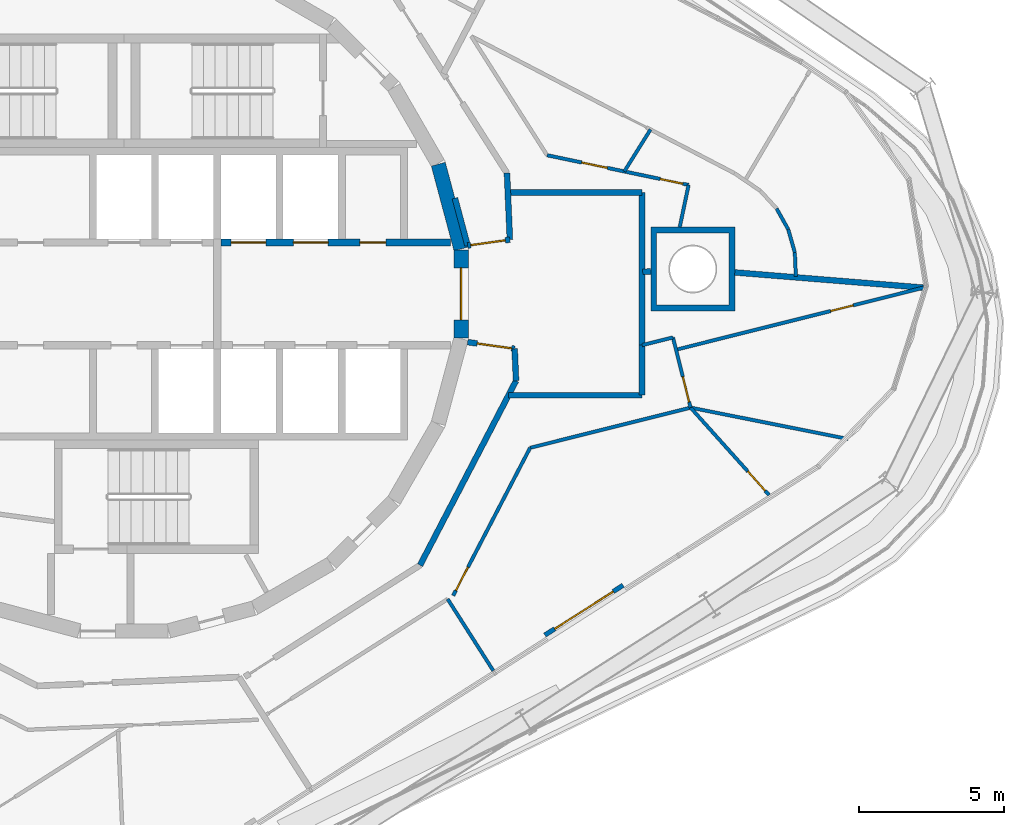
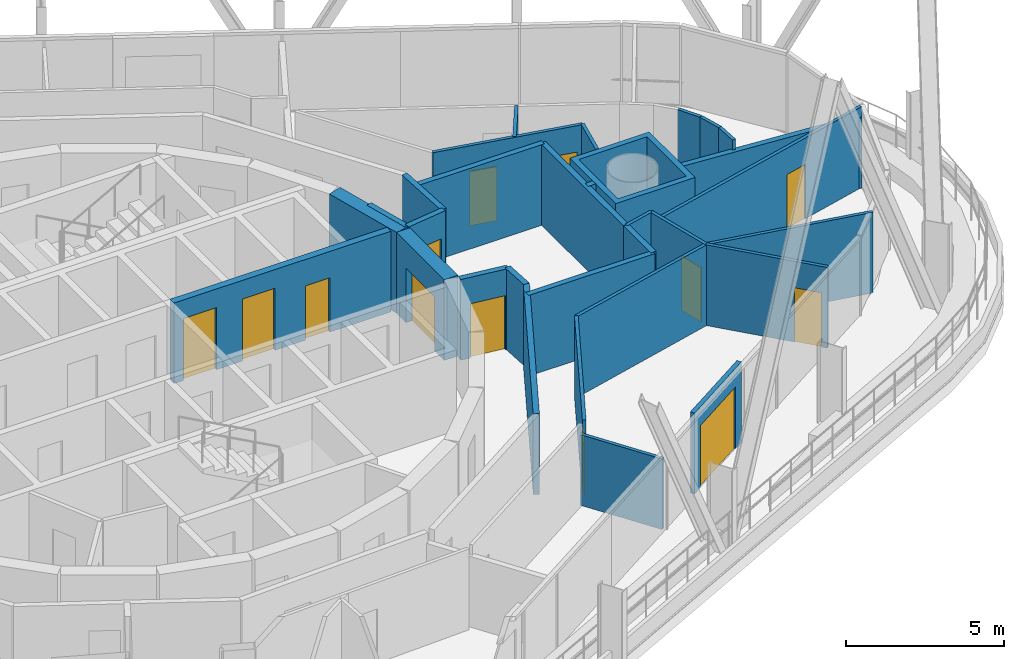
# One storey, part 14 of 20: 31 walls, 13 doors, 13 openings.
"""IFC4 building model written with IfcOpenShell, lengths in metres."""

from ifc_helpers import new_model, si_unit, direction, frame, frame_2d, origin, place, context, subcontext, project, spatial, polyline, rectangle, outline, extrude, material, layer, layer_set, type_object, element, fill, save


model = new_model("IFC4")

# Units and contexts
model_context = context("Model", 3, precision=1e-05, world=origin(), true_north=direction((0.0, 1.0)))
body_context = subcontext(model_context, "Body", "Model", "MODEL_VIEW")
ifc_project = project(units=[si_unit("LENGTHUNIT", "METRE"), si_unit("AREAUNIT", "SQUARE_METRE"), si_unit("VOLUMEUNIT", "CUBIC_METRE"), si_unit("PLANEANGLEUNIT", "RADIAN"), si_unit("MASSUNIT", "GRAM", prefix="KILO")], contexts=[model_context])

# Site, building, storey
site_placement = place(None, origin())
site = spatial("IfcSite", under=ifc_project, at=site_placement, CompositionType="ELEMENT")
building_placement = place(site_placement, origin())
building = spatial("IfcBuilding", under=site, at=building_placement, Name="Spindle Arch Residences", CompositionType="ELEMENT")
storey_placement = place(building_placement, frame((0.0, 0.0, 226.699951171875)))
storey = spatial("IfcBuildingStorey", under=building, at=storey_placement, Name="L57", CompositionType="ELEMENT", Elevation=226.699951171875)

# Wall, opening, door
ifc_material_1 = material(Name="Concrete C50/60", Category="concrete")
ifc_layer_1 = layer(ifc_material_1, 0.5)
ifc_layer_set_1 = layer_set([ifc_layer_1], Name="Core outline wall 500")
wall_type_1 = type_object("IfcWallType", Name="Core outline wall 500", PredefinedType="SHEAR", material=ifc_layer_set_1)
wall_1_placement = place(storey_placement, frame((11.647216796875, -1.516357421875, 0.0), z_axis=(0.0, 0.0, 1.0), x_axis=(0.0, 1.0, 0.0)))
wall_1 = element("IfcWall", 1, at=wall_1_placement, inside=storey, type_object=wall_type_1, Name="Core outline wall 6", PredefinedType="SHEAR", context=body_context, shape_type="SweptSolid", body=[
    extrude(rectangle(XDim=3.03271484375, YDim=0.5, at=frame_2d((1.516357421875, 0.0))), origin(), (0.0, 0.0, 1.0), 3.1201171875),
])
opening_1_placement = place(wall_1_placement, frame((0.6162109375, 0.0, 0.0)))
opening_1 = element("IfcOpeningElement", 2, at=opening_1_placement, cuts=wall_1, Name="Opening R6A0-FE01", PredefinedType="OPENING", context=body_context, shape_type="SweptSolid", body=[
    extrude(rectangle(XDim=1.800048828125, YDim=2.10009765625, at=frame_2d((0.89990234375, 1.050048828125))), frame((0.0, 0.260009765625, 0.0), z_axis=(0.0, -1.0, 0.0), x_axis=(1.0, 0.0, 0.0)), (0.0, 0.0, 1.0), 0.52001953125),
])
ifc_material_2 = material(Name="Steel, fire-resisting door", Category="steel")
door_type_1 = type_object("IfcDoorType", Name="Fire-lift lobby door 1800x2100", OperationType="DOUBLE_DOOR_SINGLE_SWING", PredefinedType="DOOR", material=ifc_material_2)
door_1_placement = place(opening_1_placement, origin())
door_1 = element("IfcDoor", 3, at=door_1_placement, inside=storey, type_object=door_type_1, Name="Fire-lift lobby door R6A0-FE01", OperationType="DOUBLE_DOOR_SINGLE_SWING", OverallHeight=2.10009765625, OverallWidth=1.800048828125, PredefinedType="DOOR", context=body_context, shape_type="SweptSolid", body=[
    extrude(rectangle(XDim=1.800048828125, YDim=2.10009765625, at=frame_2d((0.89990234375, 1.050048828125))), frame((0.0, 0.02490234375, 0.0), z_axis=(0.0, -1.0, 0.0), x_axis=(1.0, 0.0, 0.0)), (0.0, 0.0, 1.0), 0.050048828125),
])
fill(opening_1, door_1)

# Walls
wall_2_placement = place(storey_placement, frame((11.642822265625, 1.5498046875, 0.0), z_axis=(0.0, 0.0, 1.0), x_axis=(-0.258734743916, 0.965948410781, 0.0)))
element("IfcWall", 4, at=wall_2_placement, inside=storey, type_object=wall_type_1, Name="Core outline wall 7", PredefinedType="SHEAR", context=body_context, shape_type="SweptSolid", body=[
    extrude(rectangle(XDim=3.03271484375, YDim=0.5, at=frame_2d((1.516357421875, 0.0))), origin(), (0.0, 0.0, 1.0), 3.1201171875),
])
ifc_material_3 = material(Name="Calcium silicate block, plastered")
ifc_layer_2 = layer(ifc_material_3, 0.199951171875)
ifc_layer_set_2 = layer_set([ifc_layer_2], Name="Fire-lift lobby bay wall 200")
wall_type_2 = type_object("IfcWallType", Name="Fire-lift lobby bay wall 200", PredefinedType="STANDARD", material=ifc_layer_set_2)
wall_3_placement = place(storey_placement, frame((11.8701171875, 1.668212890625, 0.0), z_axis=(0.0, 0.0, 1.0), x_axis=(-0.258836880648, 0.965921047093, 0.0)))
element("IfcWall", 5, at=wall_3_placement, inside=storey, type_object=wall_type_2, Name="Fire-lift lobby bay wall R6A0-W001", PredefinedType="STANDARD", context=body_context, shape_type="SweptSolid", body=[
    extrude(rectangle(XDim=1.695068359375, YDim=0.199951171875, at=frame_2d((0.84765625, 0.0))), origin(), (0.0, 0.0, 1.0), 3.1201171875),
])

# Wall, opening, door
wall_4_placement = place(storey_placement, frame((11.8701171875, 1.668212890625, 0.0), z_axis=(0.0, 0.0, 1.0), x_axis=(0.990267985606, 0.139173692496, 0.0)))
wall_4 = element("IfcWall", 6, at=wall_4_placement, inside=storey, type_object=wall_type_2, Name="Fire-lift lobby bay wall R6A0-W002", PredefinedType="STANDARD", context=body_context, shape_type="SweptSolid", body=[
    extrude(rectangle(XDim=1.475341796875, YDim=0.199951171875, at=frame_2d((0.73779296875, 0.0))), origin(), (0.0, 0.0, 1.0), 3.1201171875),
])
opening_2_placement = place(wall_4_placement, frame((0.110107421875, 0.0, 0.0)))
opening_2 = element("IfcOpeningElement", 7, at=opening_2_placement, cuts=wall_4, Name="Opening R6A0-CD01", PredefinedType="OPENING", context=body_context, shape_type="SweptSolid", body=[
    extrude(rectangle(XDim=1.199951171875, YDim=2.10009765625, at=frame_2d((0.60009765625, 1.050048828125))), frame((0.0, 0.10986328125, 0.0), z_axis=(0.0, -1.0, 0.0), x_axis=(1.0, 0.0, 0.0)), (0.0, 0.0, 1.0), 0.219970703125),
])
ifc_material_4 = material(Name="Steel, fire-resisting door", Category="steel")
door_type_2 = type_object("IfcDoorType", Name="Corridor division door 1200x2100", OperationType="NOTDEFINED", PredefinedType="DOOR", material=ifc_material_4)
door_2_placement = place(opening_2_placement, origin())
door_2 = element("IfcDoor", 8, at=door_2_placement, inside=storey, type_object=door_type_2, Name="Corridor division door R6A0-CD01", OperationType="DOUBLE_DOOR_SINGLE_SWING", OverallHeight=2.10009765625, OverallWidth=1.199951171875, PredefinedType="DOOR", context=body_context, shape_type="SweptSolid", body=[
    extrude(rectangle(XDim=1.199951171875, YDim=2.10009765625, at=frame_2d((0.60009765625, 1.050048828125))), frame((0.0, 0.02490234375, 0.0), z_axis=(0.0, -1.0, 0.0), x_axis=(1.0, 0.0, 0.0)), (0.0, 0.0, 1.0), 0.050048828125),
])
fill(opening_2, door_2)

# Walls
wall_5_placement = place(storey_placement, frame((13.3310546875, 1.87353515625, 0.0), z_axis=(0.0, 0.0, 1.0), x_axis=(-0.043621457762, 0.999048131184, 0.0)))
element("IfcWall", 9, at=wall_5_placement, inside=storey, type_object=wall_type_2, Name="Fire-lift lobby bay wall R6A0-W003", PredefinedType="STANDARD", context=body_context, shape_type="SweptSolid", body=[
    extrude(rectangle(XDim=2.30029296875, YDim=0.199951171875, at=frame_2d((1.150146484375, 0.0))), origin(), (0.0, 0.0, 1.0), 3.1201171875),
])
wall_6_placement = place(storey_placement, frame((10.22802734375, -9.372314453125, 0.0), z_axis=(0.0, 0.0, 1.0), x_axis=(0.461759464021, 0.887005184532, 0.0)))
element("IfcWall", 10, at=wall_6_placement, inside=storey, type_object=wall_type_2, Name="Fire-lift lobby bay wall R6A0-W013", PredefinedType="STANDARD", context=body_context, shape_type="SweptSolid", body=[
    extrude(rectangle(XDim=7.18115234375, YDim=0.199951171875, at=frame_2d((3.590576171875, 0.0))), origin(), (0.0, 0.0, 1.0), 3.1201171875),
])
wall_7_placement = place(storey_placement, frame((13.5439453125, -3.002685546875, 0.0), z_axis=(0.0, 0.0, 1.0), x_axis=(-0.043666917606, 0.999046145234, 0.0)))
element("IfcWall", 11, at=wall_7_placement, inside=storey, type_object=wall_type_2, Name="Fire-lift lobby bay wall R6A0-W014", PredefinedType="STANDARD", context=body_context, shape_type="SweptSolid", body=[
    extrude(rectangle(XDim=1.10693359375, YDim=0.199951171875, at=frame_2d((0.553466796875, 0.0))), origin(), (0.0, 0.0, 1.0), 3.1201171875),
])

# Wall, opening, door
wall_8_placement = place(storey_placement, frame((13.49560546875, -1.896728515625, 0.0), z_axis=(0.0, 0.0, 1.0), x_axis=(-0.99026234641, 0.139213811391, 0.0)))
wall_8 = element("IfcWall", 12, at=wall_8_placement, inside=storey, type_object=wall_type_2, Name="Fire-lift lobby bay wall R6A0-W015", PredefinedType="STANDARD", context=body_context, shape_type="SweptSolid", body=[
    extrude(rectangle(XDim=1.641357421875, YDim=0.199951171875, at=frame_2d((0.82080078125, 0.0))), origin(), (0.0, 0.0, 1.0), 3.1201171875),
])
opening_3_placement = place(wall_8_placement, frame((0.110107421875, 0.0, 0.0)))
opening_3 = element("IfcOpeningElement", 13, at=opening_3_placement, cuts=wall_8, Name="Opening R6A0-CD02", PredefinedType="OPENING", context=body_context, shape_type="SweptSolid", body=[
    extrude(rectangle(XDim=1.199951171875, YDim=2.10009765625, at=frame_2d((0.60009765625, 1.050048828125))), frame((0.0, 0.10986328125, 0.0), z_axis=(0.0, -1.0, 0.0), x_axis=(1.0, 0.0, 0.0)), (0.0, 0.0, 1.0), 0.219970703125),
])
door_3_placement = place(opening_3_placement, origin())
door_3 = element("IfcDoor", 14, at=door_3_placement, inside=storey, type_object=door_type_2, Name="Corridor division door R6A0-CD02", OperationType="DOUBLE_DOOR_SINGLE_SWING", OverallHeight=2.10009765625, OverallWidth=1.199951171875, PredefinedType="DOOR", context=body_context, shape_type="SweptSolid", body=[
    extrude(rectangle(XDim=1.199951171875, YDim=2.10009765625, at=frame_2d((0.60009765625, 1.050048828125))), frame((0.0, 0.02490234375, 0.0), z_axis=(0.0, -1.0, 0.0), x_axis=(1.0, 0.0, 0.0)), (0.0, 0.0, 1.0), 0.050048828125),
])
fill(opening_3, door_3)

# Walls
wall_9_placement = place(storey_placement, frame((17.89990234375, -1.77197265625, 0.0), z_axis=(0.0, 0.0, 1.0), x_axis=(0.0, 1.0, 0.0)))
element("IfcWall", 15, at=wall_9_placement, inside=storey, type_object=wall_type_2, Name="Fire-lift lobby bay wall R6A0-W025", PredefinedType="STANDARD", context=body_context, shape_type="SweptSolid", body=[
    extrude(rectangle(XDim=5.27197265625, YDim=0.199951171875, at=frame_2d((2.635986328125, 0.0))), origin(), (0.0, 0.0, 1.0), 3.1201171875),
])
wall_10_placement = place(storey_placement, frame((17.89990234375, 3.5, 0.0), z_axis=(0.0, 0.0, 1.0), x_axis=(-1.0, 0.0, 0.0)))
element("IfcWall", 16, at=wall_10_placement, inside=storey, type_object=wall_type_2, Name="Fire-lift lobby bay wall R6A0-W026", PredefinedType="STANDARD", context=body_context, shape_type="SweptSolid", body=[
    extrude(rectangle(XDim=4.639892578125, YDim=0.199951171875, at=frame_2d((2.31982421875, 0.0))), origin(), (0.0, 0.0, 1.0), 3.1201171875),
])
wall_11_placement = place(storey_placement, frame((13.284912109375, -3.5, 0.0), z_axis=(0.0, 0.0, 1.0), x_axis=(1.0, 0.0, 0.0)))
element("IfcWall", 17, at=wall_11_placement, inside=storey, type_object=wall_type_2, Name="Fire-lift lobby bay wall R6A0-W027", PredefinedType="STANDARD", context=body_context, shape_type="SweptSolid", body=[
    extrude(rectangle(XDim=4.614990234375, YDim=0.199951171875, at=frame_2d((2.3076171875, 0.0))), origin(), (0.0, 0.0, 1.0), 3.1201171875),
])
wall_12_placement = place(storey_placement, frame((17.89990234375, -3.5, 0.0), z_axis=(0.0, 0.0, 1.0), x_axis=(0.0, 1.0, 0.0)))
element("IfcWall", 18, at=wall_12_placement, inside=storey, type_object=wall_type_2, Name="Fire-lift lobby bay wall R6A0-W028", PredefinedType="STANDARD", context=body_context, shape_type="SweptSolid", body=[
    extrude(rectangle(XDim=1.72802734375, YDim=0.199951171875, at=frame_2d((0.864013671875, 0.0))), origin(), (0.0, 0.0, 1.0), 3.1201171875),
])

# Wall, openings, doors
ifc_material_5 = material(Name="Concrete C40/50", Category="concrete")
ifc_layer_3 = layer(ifc_material_5, 0.25)
ifc_layer_set_3 = layer_set([ifc_layer_3], Name="Fire-lift lobby wall 250")
wall_type_3 = type_object("IfcWallType", Name="Fire-lift lobby wall 250", PredefinedType="SHEAR", material=ifc_layer_set_3)
wall_13_placement = place(storey_placement, frame((3.35009765625, 1.77490234375, 0.0), z_axis=(0.0, 0.0, 1.0), x_axis=(1.0, 0.0, 0.0)))
wall_13 = element("IfcWall", 19, at=wall_13_placement, inside=storey, type_object=wall_type_3, Name="Lift shaft front wall NE", PredefinedType="SHEAR", context=body_context, shape_type="SweptSolid", body=[
    extrude(rectangle(XDim=7.929931640625, YDim=0.25, at=frame_2d((3.96484375, 0.0))), origin(), (0.0, 0.0, 1.0), 3.1201171875),
])
opening_4_placement = place(wall_13_placement, frame((0.35009765625, 0.0, 0.0)))
opening_4 = element("IfcOpeningElement", 20, at=opening_4_placement, cuts=wall_13, Name="Opening R6A0-SLD01", PredefinedType="OPENING", context=body_context, shape_type="SweptSolid", body=[
    extrude(rectangle(XDim=1.199951171875, YDim=2.39990234375, at=frame_2d((0.60009765625, 1.199951171875))), frame((0.0, 0.135009765625, 0.0), z_axis=(0.0, -1.0, 0.0), x_axis=(1.0, 0.0, 0.0)), (0.0, 0.0, 1.0), 0.27001953125),
])
opening_5_placement = place(wall_13_placement, frame((2.5, 0.0, 0.0)))
opening_5 = element("IfcOpeningElement", 21, at=opening_5_placement, cuts=wall_13, Name="Opening R6A0-SLD02", PredefinedType="OPENING", context=body_context, shape_type="SweptSolid", body=[
    extrude(rectangle(XDim=1.199951171875, YDim=2.39990234375, at=frame_2d((0.60009765625, 1.199951171875))), frame((0.0, 0.135009765625, 0.0), z_axis=(0.0, -1.0, 0.0), x_axis=(1.0, 0.0, 0.0)), (0.0, 0.0, 1.0), 0.27001953125),
])
opening_6_placement = place(wall_13_placement, frame((4.800048828125, 0.0, 0.0)))
opening_6 = element("IfcOpeningElement", 22, at=opening_6_placement, cuts=wall_13, Name="Opening R6A0-WD03", PredefinedType="OPENING", context=body_context, shape_type="SweptSolid", body=[
    extrude(rectangle(XDim=0.89990234375, YDim=2.10009765625, at=frame_2d((0.449951171875, 1.050048828125))), frame((0.0, 0.135009765625, 0.0), z_axis=(0.0, -1.0, 0.0), x_axis=(1.0, 0.0, 0.0)), (0.0, 0.0, 1.0), 0.27001953125),
])
ifc_material_6 = material(Name="Steel, fire-resisting landing door", Category="steel")
door_type_3 = type_object("IfcDoorType", Name="Service lift landing door 1200x2400", OperationType="DOUBLE_DOOR_SLIDING", PredefinedType="DOOR", material=ifc_material_6)
door_4_placement = place(opening_4_placement, origin())
door_4 = element("IfcDoor", 23, at=door_4_placement, inside=storey, type_object=door_type_3, Name="Service lift landing door R6A0-SLD01", OperationType="DOUBLE_DOOR_SLIDING", OverallHeight=2.39990234375, OverallWidth=1.199951171875, PredefinedType="DOOR", context=body_context, shape_type="SweptSolid", body=[
    extrude(rectangle(XDim=1.199951171875, YDim=2.39990234375, at=frame_2d((0.60009765625, 1.199951171875))), frame((0.0, 0.02490234375, 0.0), z_axis=(0.0, -1.0, 0.0), x_axis=(1.0, 0.0, 0.0)), (0.0, 0.0, 1.0), 0.050048828125),
])
fill(opening_4, door_4)
door_5_placement = place(opening_5_placement, origin())
door_5 = element("IfcDoor", 24, at=door_5_placement, inside=storey, type_object=door_type_3, Name="Service lift landing door R6A0-SLD02", OperationType="DOUBLE_DOOR_SLIDING", OverallHeight=2.39990234375, OverallWidth=1.199951171875, PredefinedType="DOOR", context=body_context, shape_type="SweptSolid", body=[
    extrude(rectangle(XDim=1.199951171875, YDim=2.39990234375, at=frame_2d((0.60009765625, 1.199951171875))), frame((0.0, 0.02490234375, 0.0), z_axis=(0.0, -1.0, 0.0), x_axis=(1.0, 0.0, 0.0)), (0.0, 0.0, 1.0), 0.050048828125),
])
fill(opening_5, door_5)
ifc_material_7 = material(Name="Steel, fire-resisting door", Category="steel")
door_type_4 = type_object("IfcDoorType", Name="Service room door 900x2100", OperationType="SINGLE_SWING_LEFT", PredefinedType="DOOR", material=ifc_material_7)
door_6_placement = place(opening_6_placement, origin())
door_6 = element("IfcDoor", 25, at=door_6_placement, inside=storey, type_object=door_type_4, Name="Service room door R6A0-WD03", OperationType="SINGLE_SWING_LEFT", OverallHeight=2.10009765625, OverallWidth=0.89990234375, PredefinedType="DOOR", context=body_context, shape_type="SweptSolid", body=[
    extrude(rectangle(XDim=0.89990234375, YDim=2.10009765625, at=frame_2d((0.449951171875, 1.050048828125))), frame((0.0, 0.02490234375, 0.0), z_axis=(0.0, -1.0, 0.0), x_axis=(1.0, 0.0, 0.0)), (0.0, 0.0, 1.0), 0.050048828125),
])
fill(opening_6, door_6)

# Wall
ifc_material_8 = material(Name="Plasterboard on steel studs", Category="steel")
ifc_layer_4 = layer(ifc_material_8, 0.1201171875)
ifc_layer_set_4 = layer_set([ifc_layer_4], Name="Flat partition 120")
wall_type_4 = type_object("IfcWallType", Name="Flat partition 120", PredefinedType="PARTITIONING", material=ifc_layer_set_4)
wall_14_placement = place(storey_placement, frame((19.19921875, 2.307861328125, 0.0), z_axis=(0.0, 0.0, 1.0), x_axis=(0.205580140246, 0.978640284239, 0.0)))
element("IfcWall", 26, at=wall_14_placement, inside=storey, type_object=wall_type_4, Name="Flat partition R6A0-W041", PredefinedType="PARTITIONING", context=body_context, shape_type="SweptSolid", body=[
    extrude(rectangle(XDim=1.48681640625, YDim=0.1201171875, at=frame_2d((0.743408203125, 0.0))), origin(), (0.0, 0.0, 1.0), 3.1201171875),
])

# Wall, openings, doors
wall_15_placement = place(storey_placement, frame((19.5048828125, 3.762939453125, 0.0), z_axis=(0.0, 0.0, 1.0), x_axis=(-0.978660081285, 0.205485876157, 0.0)))
wall_15 = element("IfcWall", 27, at=wall_15_placement, inside=storey, type_object=wall_type_4, Name="Flat partition R6A0-W042", PredefinedType="PARTITIONING", context=body_context, shape_type="SweptSolid", body=[
    extrude(rectangle(XDim=4.99609375, YDim=0.1201171875, at=frame_2d((2.498046875, 0.0))), origin(), (0.0, 0.0, 1.0), 3.1201171875),
])
opening_7_placement = place(wall_15_placement, frame((0.199951171875, 0.0, 0.0)))
opening_7 = element("IfcOpeningElement", 28, at=opening_7_placement, cuts=wall_15, Name="Opening R6A0-BD01", PredefinedType="OPENING", context=body_context, shape_type="SweptSolid", body=[
    extrude(rectangle(XDim=0.800048828125, YDim=2.10009765625, at=frame_2d((0.39990234375, 1.050048828125))), frame((0.0, 0.070068359375, 0.0), z_axis=(0.0, -1.0, 0.0), x_axis=(1.0, 0.0, 0.0)), (0.0, 0.0, 1.0), 0.14013671875),
])
opening_8_placement = place(wall_15_placement, frame((2.86865234375, 0.0, 0.0)))
opening_8 = element("IfcOpeningElement", 29, at=opening_8_placement, cuts=wall_15, Name="Opening R6A0-ID01", PredefinedType="OPENING", context=body_context, shape_type="SweptSolid", body=[
    extrude(rectangle(XDim=0.89990234375, YDim=2.10009765625, at=frame_2d((0.449951171875, 1.050048828125))), frame((0.0, 0.070068359375, 0.0), z_axis=(0.0, -1.0, 0.0), x_axis=(1.0, 0.0, 0.0)), (0.0, 0.0, 1.0), 0.14013671875),
])
ifc_material_9 = material(Name="Timber door set", Category="wood")
door_type_5 = type_object("IfcDoorType", Name="Bathroom door 800x2100", OperationType="NOTDEFINED", PredefinedType="DOOR", material=ifc_material_9)
door_7_placement = place(opening_7_placement, origin())
door_7 = element("IfcDoor", 30, at=door_7_placement, inside=storey, type_object=door_type_5, Name="Bathroom door R6A0-BD01", OperationType="SINGLE_SWING_LEFT", OverallHeight=2.10009765625, OverallWidth=0.800048828125, PredefinedType="DOOR", context=body_context, shape_type="SweptSolid", body=[
    extrude(rectangle(XDim=0.800048828125, YDim=2.10009765625, at=frame_2d((0.39990234375, 1.050048828125))), frame((0.0, 0.02490234375, 0.0), z_axis=(0.0, -1.0, 0.0), x_axis=(1.0, 0.0, 0.0)), (0.0, 0.0, 1.0), 0.050048828125),
])
fill(opening_7, door_7)
ifc_material_10 = material(Name="Timber door set", Category="wood")
door_type_6 = type_object("IfcDoorType", Name="Room door 900x2100", OperationType="NOTDEFINED", PredefinedType="DOOR", material=ifc_material_10)
door_8_placement = place(opening_8_placement, origin())
door_8 = element("IfcDoor", 31, at=door_8_placement, inside=storey, type_object=door_type_6, Name="Room door R6A0-ID01", OperationType="SINGLE_SWING_LEFT", OverallHeight=2.10009765625, OverallWidth=0.89990234375, PredefinedType="DOOR", context=body_context, shape_type="SweptSolid", body=[
    extrude(rectangle(XDim=0.89990234375, YDim=2.10009765625, at=frame_2d((0.449951171875, 1.050048828125))), frame((0.0, 0.02490234375, 0.0), z_axis=(0.0, -1.0, 0.0), x_axis=(1.0, 0.0, 0.0)), (0.0, 0.0, 1.0), 0.050048828125),
])
fill(opening_8, door_8)

# Walls
wall_16_placement = place(storey_placement, frame((22.544189453125, 2.947998046875, 0.0), z_axis=(0.0, 0.0, 1.0), x_axis=(0.487392269075, -0.873183128585, 0.0)))
element("IfcWall", 32, at=wall_16_placement, inside=storey, type_object=wall_type_4, Name="Flat partition R6A0-W046", PredefinedType="PARTITIONING", context=body_context, shape_type="SweptSolid", body=[
    extrude(rectangle(XDim=0.8291015625, YDim=0.1201171875, at=frame_2d((0.41455078125, 0.0))), origin(), (0.0, 0.0, 1.0), 3.1201171875),
])
for number, where, z_axis, x_axis, name in (
    (33, (22.9482421875, 2.22412109375, 0.0), (0.0, 0.0, 1.0), (0.272775267496, -0.96207777931, 0.0), "Flat partition R6A0-W047"),
    (34, (23.17431640625, 1.4267578125, 0.0), (0.0, 0.0, 1.0), (0.043884567994, -0.999036608284, 0.0), "Flat partition R6A0-W048"),
):
    element("IfcWall", number, at=place(storey_placement, frame(where, z_axis=z_axis, x_axis=x_axis)), inside=storey, type_object=wall_type_4, Name=name, PredefinedType="PARTITIONING", context=body_context, shape_type="SweptSolid", body=[
        extrude(rectangle(XDim=0.828857421875, YDim=0.1201171875, at=frame_2d((0.41455078125, 0.0))), origin(), (0.0, 0.0, 1.0), 3.1201171875),
    ])
wall_17_placement = place(storey_placement, frame((18.188720703125, 5.67724609375, 0.0), z_axis=(0.0, 0.0, 1.0), x_axis=(-0.529639004581, -0.848223157445, 0.0)))
element("IfcWall", 35, at=wall_17_placement, inside=storey, type_object=wall_type_4, Name="Flat partition R6A0-W050", PredefinedType="PARTITIONING", context=body_context, shape_type="SweptSolid", body=[
    extrude(rectangle(XDim=1.707275390625, YDim=0.1201171875, at=frame_2d((0.853515625, 0.0))), origin(), (0.0, 0.0, 1.0), 3.1201171875),
])

# Wall, opening, door
wall_18_placement = place(storey_placement, frame((11.373046875, -10.42138671875, 0.0), z_axis=(0.0, 0.0, 1.0), x_axis=(0.461738939635, 0.887015868869, 0.0)))
wall_18 = element("IfcWall", 36, at=wall_18_placement, inside=storey, type_object=wall_type_4, Name="Flat partition R6A0-W110", PredefinedType="PARTITIONING", context=body_context, shape_type="SweptSolid", body=[
    extrude(rectangle(XDim=5.751708984375, YDim=0.1201171875, at=frame_2d((2.8759765625, 0.0))), origin(), (0.0, 0.0, 1.0), 3.1201171875),
])
opening_9_placement = place(wall_18_placement, frame((0.199951171875, 0.0, 0.0)))
opening_9 = element("IfcOpeningElement", 37, at=opening_9_placement, cuts=wall_18, Name="Opening R6A0-ID24", PredefinedType="OPENING", context=body_context, shape_type="SweptSolid", body=[
    extrude(rectangle(XDim=0.89990234375, YDim=2.10009765625, at=frame_2d((0.449951171875, 1.050048828125))), frame((0.0, 0.070068359375, 0.0), z_axis=(0.0, -1.0, 0.0), x_axis=(1.0, 0.0, 0.0)), (0.0, 0.0, 1.0), 0.14013671875),
])
door_9_placement = place(opening_9_placement, origin())
door_9 = element("IfcDoor", 38, at=door_9_placement, inside=storey, type_object=door_type_6, Name="Room door R6A0-ID24", OperationType="SINGLE_SWING_RIGHT", OverallHeight=2.10009765625, OverallWidth=0.89990234375, PredefinedType="DOOR", context=body_context, shape_type="SweptSolid", body=[
    extrude(rectangle(XDim=0.89990234375, YDim=2.10009765625, at=frame_2d((0.449951171875, 1.050048828125))), frame((0.0, 0.02490234375, 0.0), z_axis=(0.0, -1.0, 0.0), x_axis=(1.0, 0.0, 0.0)), (0.0, 0.0, 1.0), 0.050048828125),
])
fill(opening_9, door_9)

# Wall
wall_19_placement = place(storey_placement, frame((14.02880859375, -5.319580078125, 0.0), z_axis=(0.0, 0.0, 1.0), x_axis=(0.969999099814, 0.243108507378, 0.0)))
element("IfcWall", 39, at=wall_19_placement, inside=storey, type_object=wall_type_4, Name="Flat partition R6A0-W111", PredefinedType="PARTITIONING", context=body_context, shape_type="SweptSolid", body=[
    extrude(rectangle(XDim=5.715087890625, YDim=0.1201171875, at=frame_2d((2.857421875, 0.0))), origin(), (0.0, 0.0, 1.0), 3.1201171875),
])

# Wall, opening, door
wall_20_placement = place(storey_placement, frame((19.572509765625, -3.93017578125, 0.0), z_axis=(0.0, 0.0, 1.0), x_axis=(-0.243155959183, 0.96998720585, 0.0)))
wall_20 = element("IfcWall", 40, at=wall_20_placement, inside=storey, type_object=wall_type_4, Name="Flat partition R6A0-W112", PredefinedType="PARTITIONING", context=body_context, shape_type="SweptSolid", body=[
    extrude(rectangle(XDim=2.5, YDim=0.1201171875, at=frame_2d((1.25, 0.0))), origin(), (0.0, 0.0, 1.0), 3.1201171875),
])
opening_10_placement = place(wall_20_placement, frame((0.199951171875, 0.0, 0.0)))
opening_10 = element("IfcOpeningElement", 41, at=opening_10_placement, cuts=wall_20, Name="Opening R6A0-ID25", PredefinedType="OPENING", context=body_context, shape_type="SweptSolid", body=[
    extrude(rectangle(XDim=0.89990234375, YDim=2.10009765625, at=frame_2d((0.449951171875, 1.050048828125))), frame((0.0, 0.070068359375, 0.0), z_axis=(0.0, -1.0, 0.0), x_axis=(1.0, 0.0, 0.0)), (0.0, 0.0, 1.0), 0.14013671875),
])
door_10_placement = place(opening_10_placement, origin())
door_10 = element("IfcDoor", 42, at=door_10_placement, inside=storey, type_object=door_type_6, Name="Room door R6A0-ID25", OperationType="SINGLE_SWING_RIGHT", OverallHeight=2.10009765625, OverallWidth=0.89990234375, PredefinedType="DOOR", context=body_context, shape_type="SweptSolid", body=[
    extrude(rectangle(XDim=0.89990234375, YDim=2.10009765625, at=frame_2d((0.449951171875, 1.050048828125))), frame((0.0, 0.02490234375, 0.0), z_axis=(0.0, -1.0, 0.0), x_axis=(1.0, 0.0, 0.0)), (0.0, 0.0, 1.0), 0.050048828125),
])
fill(opening_10, door_10)

# Wall
wall_21_placement = place(storey_placement, frame((18.964599609375, -1.505126953125, 0.0), z_axis=(0.0, 0.0, 1.0), x_axis=(-0.969998406835, -0.243111272339, 0.0)))
element("IfcWall", 43, at=wall_21_placement, inside=storey, type_object=wall_type_4, Name="Flat partition R6A0-W113", PredefinedType="PARTITIONING", context=body_context, shape_type="SweptSolid", body=[
    extrude(rectangle(XDim=1.09765625, YDim=0.1201171875, at=frame_2d((0.548828125, 0.0))), origin(), (0.0, 0.0, 1.0), 3.1201171875),
])

# Wall, opening, door
wall_22_placement = place(storey_placement, frame((22.283935546875, -6.949462890625, 0.0), z_axis=(0.0, 0.0, 1.0), x_axis=(-0.668156639948, 0.744020634454, 0.0)))
wall_22 = element("IfcWall", 44, at=wall_22_placement, inside=storey, type_object=wall_type_4, Name="Flat partition R6A0-W115", PredefinedType="PARTITIONING", context=body_context, shape_type="SweptSolid", body=[
    extrude(rectangle(XDim=4.05810546875, YDim=0.1201171875, at=frame_2d((2.029052734375, 0.0))), origin(), (0.0, 0.0, 1.0), 3.1201171875),
])
opening_11_placement = place(wall_22_placement, frame((0.199951171875, 0.0, 0.0)))
opening_11 = element("IfcOpeningElement", 45, at=opening_11_placement, cuts=wall_22, Name="Opening R6A0-ID26", PredefinedType="OPENING", context=body_context, shape_type="SweptSolid", body=[
    extrude(rectangle(XDim=0.89990234375, YDim=2.10009765625, at=frame_2d((0.449951171875, 1.050048828125))), frame((0.0, 0.070068359375, 0.0), z_axis=(0.0, -1.0, 0.0), x_axis=(1.0, 0.0, 0.0)), (0.0, 0.0, 1.0), 0.14013671875),
])
door_11_placement = place(opening_11_placement, origin())
door_11 = element("IfcDoor", 46, at=door_11_placement, inside=storey, type_object=door_type_6, Name="Room door R6A0-ID26", OperationType="SINGLE_SWING_RIGHT", OverallHeight=2.10009765625, OverallWidth=0.89990234375, PredefinedType="DOOR", context=body_context, shape_type="SweptSolid", body=[
    extrude(rectangle(XDim=0.89990234375, YDim=2.10009765625, at=frame_2d((0.449951171875, 1.050048828125))), frame((0.0, 0.02490234375, 0.0), z_axis=(0.0, -1.0, 0.0), x_axis=(1.0, 0.0, 0.0)), (0.0, 0.0, 1.0), 0.050048828125),
])
fill(opening_11, door_11)

# Wall
wall_23_placement = place(storey_placement, frame((25.021484375, -5.014892578125, 0.0), z_axis=(0.0, 0.0, 1.0), x_axis=(-0.98075605246, 0.195237203328, 0.0)))
element("IfcWall", 47, at=wall_23_placement, inside=storey, type_object=wall_type_4, Name="Flat partition R6A0-W116", PredefinedType="PARTITIONING", context=body_context, shape_type="SweptSolid", body=[
    extrude(rectangle(XDim=5.555908203125, YDim=0.1201171875, at=frame_2d((2.77783203125, 0.0))), origin(), (0.0, 0.0, 1.0), 3.1201171875),
])

# Wall, opening, door
wall_24_placement = place(storey_placement, frame((27.616455078125, 0.211669921875, 0.0), z_axis=(0.0, 0.0, 1.0), x_axis=(-0.969995609005, -0.243122435227, 0.0)))
wall_24 = element("IfcWall", 48, at=wall_24_placement, inside=storey, type_object=wall_type_4, Name="Flat partition R6A0-W117", PredefinedType="PARTITIONING", context=body_context, shape_type="SweptSolid", body=[
    extrude(rectangle(XDim=8.809814453125, YDim=0.1201171875, at=frame_2d((4.40478515625, 0.0))), origin(), (0.0, 0.0, 1.0), 3.1201171875),
])
opening_12_placement = place(wall_24_placement, frame((2.5, 0.0, 0.0)))
opening_12 = element("IfcOpeningElement", 49, at=opening_12_placement, cuts=wall_24, Name="Opening R6A0-BD07", PredefinedType="OPENING", context=body_context, shape_type="SweptSolid", body=[
    extrude(rectangle(XDim=0.800048828125, YDim=2.10009765625, at=frame_2d((0.39990234375, 1.050048828125))), frame((0.0, 0.070068359375, 0.0), z_axis=(0.0, -1.0, 0.0), x_axis=(1.0, 0.0, 0.0)), (0.0, 0.0, 1.0), 0.14013671875),
])
door_12_placement = place(opening_12_placement, origin())
door_12 = element("IfcDoor", 50, at=door_12_placement, inside=storey, type_object=door_type_5, Name="Bathroom door R6A0-BD07", OperationType="SINGLE_SWING_RIGHT", OverallHeight=2.10009765625, OverallWidth=0.800048828125, PredefinedType="DOOR", context=body_context, shape_type="SweptSolid", body=[
    extrude(rectangle(XDim=0.800048828125, YDim=2.10009765625, at=frame_2d((0.39990234375, 1.050048828125))), frame((0.0, 0.02490234375, 0.0), z_axis=(0.0, -1.0, 0.0), x_axis=(1.0, 0.0, 0.0)), (0.0, 0.0, 1.0), 0.050048828125),
])
fill(opening_12, door_12)

# Walls
ifc_material_11 = material(Name="Plasterboard on steel studs", Category="steel")
ifc_layer_5 = layer(ifc_material_11, 0.1201171875)
ifc_layer_set_5 = layer_set([ifc_layer_5], Name="Flat partition 120 under beam 2730")
wall_type_5 = type_object("IfcWallType", Name="Flat partition 120 under beam 2730", PredefinedType="PARTITIONING", material=ifc_layer_set_5)
wall_25_placement = place(storey_placement, frame((12.7578125, -13.018310546875, 0.0), z_axis=(0.0, 0.0, 1.0), x_axis=(-0.537338423153, 0.843366716798, 0.0)))
element("IfcWall", 51, at=wall_25_placement, inside=storey, type_object=wall_type_5, Name="Flat partition R6A0-W114", PredefinedType="PARTITIONING", context=body_context, shape_type="SweptSolid", body=[
    extrude(rectangle(XDim=2.93408203125, YDim=0.1201171875, at=frame_2d((1.467041015625, 0.0))), origin(), (0.0, 0.0, 1.0), 2.72998046875),
])
ifc_material_12 = material(Name="Calcium silicate block, plastered")
ifc_layer_6 = layer(ifc_material_12, 0.199951171875)
ifc_layer_set_6 = layer_set([ifc_layer_6], Name="Flat party wall 200")
wall_type_6 = type_object("IfcWallType", Name="Flat party wall 200", PredefinedType="STANDARD", material=ifc_layer_set_6)
wall_26_placement = place(storey_placement, frame((17.919921875, 0.761474609375, 0.0), z_axis=(0.0, 0.0, 1.0), x_axis=(0.999051221661, 0.04355061995, 0.0)))
element("IfcWall", 52, at=wall_26_placement, inside=storey, type_object=wall_type_6, Name="Flat party wall R6A0-W030", PredefinedType="STANDARD", context=body_context, shape_type="SweptSolid", body=[
    extrude(rectangle(XDim=0.2802734375, YDim=0.199951171875, at=frame_2d((0.14013671875, 0.0))), origin(), (0.0, 0.0, 1.0), 3.1201171875),
])
ifc_material_13 = material(Name="Calcium silicate block, plastered")
ifc_layer_7 = layer(ifc_material_13, 0.199951171875)
ifc_layer_set_7 = layer_set([ifc_layer_7], Name="Flat party wall 200 under beam 2730")
wall_type_7 = type_object("IfcWallType", Name="Flat party wall 200 under beam 2730", PredefinedType="STANDARD", material=ifc_layer_set_7)
wall_27_placement = place(storey_placement, frame((21.10009765625, 0.74072265625, 0.0), z_axis=(0.0, 0.0, 1.0), x_axis=(0.996750718609, -0.080548153006, 0.0)))
element("IfcWall", 53, at=wall_27_placement, inside=storey, type_object=wall_type_7, Name="Flat party wall R6A0-W031", PredefinedType="STANDARD", context=body_context, shape_type="SweptSolid", body=[
    extrude(rectangle(XDim=6.537841796875, YDim=0.199951171875, at=frame_2d((3.26904296875, 0.0))), origin(), (0.0, 0.0, 1.0), 2.72998046875),
])

# Wall, opening, door
ifc_material_14 = material(Name="Non-combustible mineral wool insulated aluminium faced external wall (K0)", Category="aluminium")
ifc_layer_8 = layer(ifc_material_14, 0.159912109375)
ifc_layer_set_8 = layer_set([ifc_layer_8], Name="Insulated external wall panel 160")
wall_type_8 = type_object("IfcWallType", Name="Insulated external wall panel 160", PredefinedType="STANDARD", material=ifc_layer_set_8)
wall_28_placement = place(storey_placement, frame((14.540771484375, -11.78759765625, 0.0), z_axis=(0.0, 0.0, 1.0), x_axis=(0.843419508298, 0.53725555653, 0.0)))
wall_28 = element("IfcWall", 54, at=wall_28_placement, inside=storey, type_object=wall_type_8, Name="External wall L57 bay 1", PredefinedType="STANDARD", context=body_context, shape_type="SweptSolid", body=[
    extrude(rectangle(XDim=3.199951171875, YDim=0.159912109375, at=frame_2d((1.60009765625, 0.0))), origin(), (0.0, 0.0, 1.0), 3.1201171875),
])
opening_13_placement = place(wall_28_placement, frame((0.39990234375, 0.0, 0.0)))
opening_13 = element("IfcOpeningElement", 55, at=opening_13_placement, cuts=wall_28, Name="Opening BD01", PredefinedType="OPENING", context=body_context, shape_type="SweptSolid", body=[
    extrude(rectangle(XDim=2.39990234375, YDim=2.39990234375, at=frame_2d((1.199951171875, 1.199951171875))), frame((0.0, 0.08984375, 0.0), z_axis=(0.0, -1.0, 0.0), x_axis=(1.0, 0.0, 0.0)), (0.0, 0.0, 1.0), 0.179931640625),
])
ifc_material_15 = material(Name="Bronze aluminium frame, tinted double glazing", Category="aluminium")
door_type_7 = type_object("IfcDoorType", Name="Sliding glazed balcony door 2400x2400", OperationType="DOUBLE_DOOR_SLIDING", PredefinedType="DOOR", material=ifc_material_15)
door_13_placement = place(opening_13_placement, origin())
door_13 = element("IfcDoor", 56, at=door_13_placement, inside=storey, type_object=door_type_7, Name="Balcony door BD01", OperationType="DOUBLE_DOOR_SLIDING", OverallHeight=2.39990234375, OverallWidth=2.39990234375, PredefinedType="DOOR", context=body_context, shape_type="SweptSolid", body=[
    extrude(rectangle(XDim=2.39990234375, YDim=2.39990234375, at=frame_2d((1.199951171875, 1.199951171875))), frame((0.0, 0.02490234375, 0.0), z_axis=(0.0, -1.0, 0.0), x_axis=(1.0, 0.0, 0.0)), (0.0, 0.0, 1.0), 0.050048828125),
])
fill(opening_13, door_13)

# Wall
ifc_material_16 = material(Name="Calcium silicate block, plastered")
ifc_layer_9 = layer(ifc_material_16, 0.199951171875)
ifc_layer_set_9 = layer_set([ifc_layer_9], Name="Mega-column casing wall 200")
wall_type_9 = type_object("IfcWallType", Name="Mega-column casing wall 200", PredefinedType="STANDARD", material=ifc_layer_set_9)
wall_29_placement = place(storey_placement, origin())
element("IfcWall", 57, at=wall_29_placement, inside=storey, type_object=wall_type_9, Name="Mega-column casing wall R6A0-WC01", PredefinedType="STANDARD", context=body_context, shape_type="SweptSolid", body=[
    extrude(outline(polyline([(21.10009765625, 2.307861328125), (21.10009765625, -0.592041015625), (18.199951171875, -0.592041015625), (18.199951171875, 2.307861328125), (21.10009765625, 2.307861328125)]), holes=[polyline([(18.39990234375, -0.39208984375), (20.89990234375, -0.39208984375), (20.89990234375, 2.10791015625), (18.39990234375, 2.10791015625), (18.39990234375, -0.39208984375)])]), origin(), (0.0, 0.0, 1.0), 3.1201171875),
])

save(model, "model.ifc")
